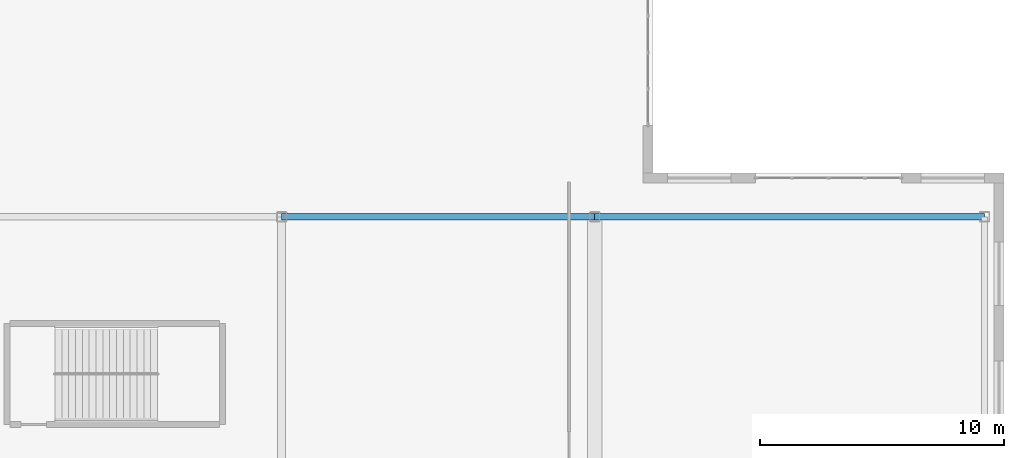
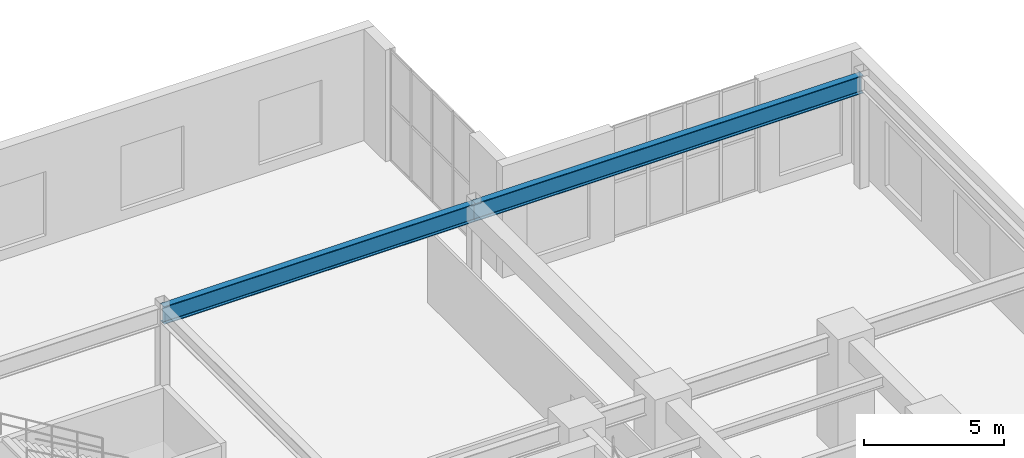
# One storey, part 13 of 23: 2 beams.
"""IFC4 building model written with IfcOpenShell, lengths in metres."""

from ifc_helpers import new_model, entity, si_unit, converted_unit, direction, frame, origin_with_axes, origin_2d_with_axis, place, context, subcontext, project, spatial, i_section, extrude, material, material_profile, profile_set, type_object, element, save


model = new_model("IFC4")

# Units and contexts
model_context = context("Model", 3, precision=1e-05, world=origin_with_axes(), true_north=direction((0.0, 1.0)))
body_context = subcontext(model_context, "Body", "Model", "MODEL_VIEW")
ifc_project = project(units=[si_unit("LENGTHUNIT", "METRE"), si_unit("AREAUNIT", "SQUARE_METRE"), si_unit("VOLUMEUNIT", "CUBIC_METRE"), converted_unit("PLANEANGLEUNIT", "DEGREE", entity("IfcPlaneAngleMeasure", 0.017453292519943295), si_unit("PLANEANGLEUNIT", "RADIAN"), dimensions=[0, 0, 0, 0, 0, 0, 0]), si_unit("MASSUNIT", "GRAM", prefix="KILO"), si_unit("THERMODYNAMICTEMPERATUREUNIT", "KELVIN")], contexts=[model_context])

# Site, building, storey
site_placement = place(None, origin_with_axes())
site = spatial("IfcSite", under=ifc_project, at=site_placement, CompositionType="ELEMENT")
building_placement = place(site_placement, origin_with_axes())
building = spatial("IfcBuilding", under=site, at=building_placement, Name="Varnlund Millrace Tower", CompositionType="ELEMENT")
storey_placement = place(building_placement, frame((0.0, 0.0, 5.7), z_axis=(0.0, 0.0, 1.0), x_axis=(1.0, 0.0, 0.0)))
storey = spatial("IfcBuildingStorey", under=building, at=storey_placement, Name="L01", CompositionType="ELEMENT", Elevation=5.7)

# Beams
ifc_material = material(Name="Steel ASTM A992 Grade 50", Category="steel")
ifc_material_profile = material_profile(ifc_material, i_section(OverallWidth=0.266, OverallDepth=0.779, WebThickness=0.0165, FlangeThickness=0.03, FilletRadius=0.02, at=origin_2d_with_axis()), Name="Steel ASTM A992 Grade 50")
ifc_profile_set = profile_set([ifc_material_profile], Name="Steel ASTM A992 Grade 50")
beam_type = type_object("IfcBeamType", Name="Type-Girder-W30X148", PredefinedType="USERDEFINED", material=ifc_profile_set)
beam_1_placement = place(storey_placement, frame((38.75, 37.8, 4.4705), z_axis=(1.0, 0.0, 0.0), x_axis=(0.0, 1.0, 0.0)))
element("IfcBeam", 1, at=beam_1_placement, inside=storey, type_object=beam_type, Name="Type-Girder-W30X148", ObjectType="GIRDER", PredefinedType="USERDEFINED", context=body_context, shape_type="SweptSolid", body=[
    extrude(i_section(OverallWidth=0.266, OverallDepth=0.779, WebThickness=0.0165, FlangeThickness=0.03, FilletRadius=0.02, at=origin_2d_with_axis()), origin_with_axes(), (0.0, 0.0, 1.0), 12.85),
])
beam_2_placement = place(storey_placement, frame((51.6, 37.8, 4.4705), z_axis=(1.0, 0.0, 0.0), x_axis=(0.0, 1.0, 0.0)))
element("IfcBeam", 2, at=beam_2_placement, inside=storey, type_object=beam_type, Name="Type-Girder-W30X148", ObjectType="GIRDER", PredefinedType="USERDEFINED", context=body_context, shape_type="SweptSolid", body=[
    extrude(i_section(OverallWidth=0.266, OverallDepth=0.779, WebThickness=0.0165, FlangeThickness=0.03, FilletRadius=0.02, at=origin_2d_with_axis()), origin_with_axes(), (0.0, 0.0, 1.0), 16.0),
])

save(model, "model.ifc")
